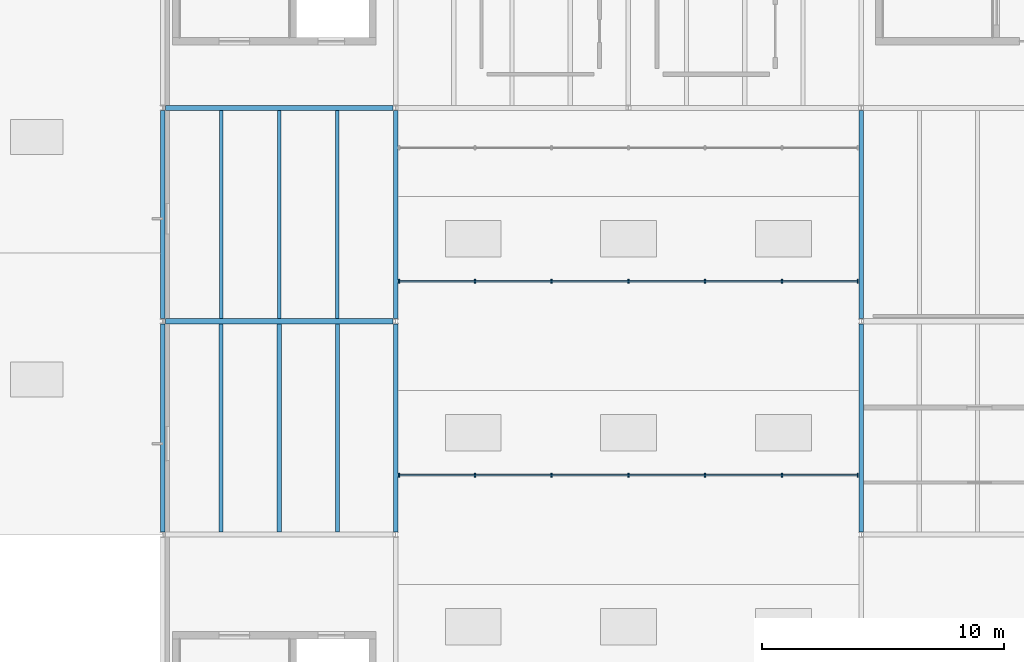
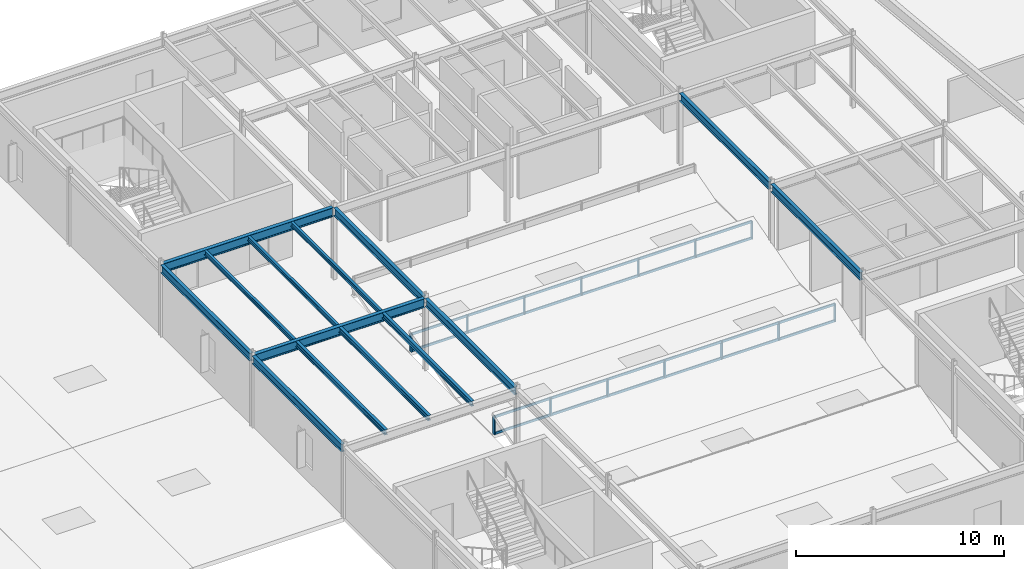
# One storey, part 11 of 50: 18 members, 14 beams, 2 elements without a shape of their own.
"""IFC4 building model written with IfcOpenShell, lengths in metres."""

from ifc_helpers import new_model, si_unit, direction, frame, origin, origin_2d, place, context, subcontext, project, spatial, rectangle, i_section, extrude, material, material_profile, profile_set, type_object, element, aggregate, save


model = new_model("IFC4")

# Units and contexts
model_context = context("Model", 3, precision=1e-05, world=origin(), true_north=direction((0.0, 1.0)))
body_context = subcontext(model_context, "Body", "Model", "MODEL_VIEW")
ifc_project = project(units=[si_unit("LENGTHUNIT", "METRE"), si_unit("AREAUNIT", "SQUARE_METRE"), si_unit("VOLUMEUNIT", "CUBIC_METRE"), si_unit("PLANEANGLEUNIT", "RADIAN"), si_unit("MASSUNIT", "GRAM", prefix="KILO")], contexts=[model_context])

# Site, building, storey
site_placement = place(None, origin())
site = spatial("IfcSite", under=ifc_project, at=site_placement, CompositionType="ELEMENT")
building_placement = place(site_placement, origin())
building = spatial("IfcBuilding", under=site, at=building_placement, Name="Sarnbrook Museum", CompositionType="ELEMENT")
storey_placement = place(building_placement, frame((0.0, 0.0, 28.10009765625)))
storey = spatial("IfcBuildingStorey", under=building, at=storey_placement, Name="L05", CompositionType="ELEMENT", Elevation=28.10009765625)

# Beams
ifc_material_1 = material(Name="Structural Steel Grade 300PLUS (AS/NZS 3679.1, fy = 280 MPa for 17 < t <= 40 mm, 300 MPa for t <= 17 mm)", Category="steel")
ifc_material_profile_1 = material_profile(ifc_material_1, i_section(OverallWidth=0.18994140625, OverallDepth=0.45703125, WebThickness=0.009033203125, FlangeThickness=0.014404296875, FilletRadius=0.011474609375, at=origin_2d()), Name="460UB74.6")
ifc_profile_set_1 = profile_set([ifc_material_profile_1], Name="Structural Steel Grade 300PLUS (AS/NZS 3679.1, fy = 280 MPa for 17 < t <= 40 mm, 300 MPa for t <= 17 mm)")
beam_type_1 = type_object("IfcBeamType", Name="BM-UB460", PredefinedType="BEAM", material=ifc_profile_set_1)
for number, where, z_axis, x_axis, name in (
    (1, (80.800048828125, 74.5048828125, 4.021484375), (0.0, 1.0, 0.0), (-1.0, 0.0, 0.0), "Girder 9:J-K L05"),
    (2, (80.800048828125, 83.304931640625, 4.021484375), (0.0, 1.0, 0.0), (-1.0, 0.0, 0.0), "Girder 9:K-L L05"),
    (3, (90.39990234375, 74.5048828125, 4.021484375), (0.0, 1.0, 0.0), (-1.0, 0.0, 0.0), "Girder 10:J-K L05"),
    (4, (90.39990234375, 83.304931640625, 4.021484375), (0.0, 1.0, 0.0), (-1.0, 0.0, 0.0), "Girder 10:K-L L05"),
    (5, (109.60009765625, 74.5048828125, 4.021484375), (0.0, 1.0, 0.0), (-1.0, 0.0, 0.0), "Girder 12:J-K L05"),
    (6, (109.60009765625, 83.304931640625, 4.021484375), (0.0, 1.0, 0.0), (-1.0, 0.0, 0.0), "Girder 12:K-L L05"),
):
    element("IfcBeam", number, at=place(storey_placement, frame(where, z_axis=z_axis, x_axis=x_axis)), inside=storey, type_object=beam_type_1, Name=name, PredefinedType="BEAM", context=body_context, shape_type="SweptSolid", body=[
        extrude(i_section(OverallWidth=0.18994140625, OverallDepth=0.45703125, WebThickness=0.009033203125, FlangeThickness=0.014404296875, FilletRadius=0.011474609375, at=origin_2d()), origin(), (0.0, 0.0, 1.0), 8.590087890625),
    ])
ifc_material_profile_2 = material_profile(ifc_material_1, i_section(OverallWidth=0.208984375, OverallDepth=0.532958984375, WebThickness=0.01025390625, FlangeThickness=0.015625, FilletRadius=0.013916015625, at=origin_2d()), Name="530UB92.4")
ifc_profile_set_2 = profile_set([ifc_material_profile_2], Name="Structural Steel Grade 300PLUS (AS/NZS 3679.1, fy = 280 MPa for 17 < t <= 40 mm, 300 MPa for t <= 17 mm)")
beam_type_2 = type_object("IfcBeamType", Name="BM-UB530", PredefinedType="BEAM", material=ifc_profile_set_2)
for number, where, z_axis, x_axis, name in (
    (7, (80.902587890625, 83.199951171875, 3.9833984375), (1.0, 0.0, 0.0), (0.0, 1.0, 0.0), "Girder K:9-10 L05"),
    (8, (80.902587890625, 92.0, 3.9833984375), (1.0, 0.0, 0.0), (0.0, 1.0, 0.0), "Girder L:9-10 L05"),
):
    element("IfcBeam", number, at=place(storey_placement, frame(where, z_axis=z_axis, x_axis=x_axis)), inside=storey, type_object=beam_type_2, Name=name, PredefinedType="BEAM", context=body_context, shape_type="SweptSolid", body=[
        extrude(i_section(OverallWidth=0.208984375, OverallDepth=0.532958984375, WebThickness=0.01025390625, FlangeThickness=0.015625, FilletRadius=0.013916015625, at=origin_2d()), origin(), (0.0, 0.0, 1.0), 9.39501953125),
    ])

# Curtain wall, members
ifc_material_2 = material(Name="Thermally Broken Anodised Aluminium 6063-T6", Category="aluminium")
curtain_wall_type = type_object("IfcCurtainWallType", Name="CurtainWall_Sawtooth", PredefinedType="NOTDEFINED", material=ifc_material_2)
curtain_wall_1_placement = place(storey_placement, origin())
curtain_wall_1 = element("IfcCurtainWall", 9, at=curtain_wall_1_placement, inside=storey, type_object=curtain_wall_type, Name="Atrium Sawtooth North-Light Clerestory 2", PredefinedType="NOTDEFINED")
ifc_material_profile_3 = material_profile(ifc_material_2, rectangle(XDim=0.06005859375, YDim=0.159912109375, at=origin_2d()), Name="ALU MULLION 60x160")
ifc_profile_set_3 = profile_set([ifc_material_profile_3], Name="Thermally Broken Anodised Aluminium 6063-T6")
member_type_1 = type_object("IfcMemberType", Name="CW_Mullion_150x65", PredefinedType="MULLION", material=ifc_profile_set_3)
member_1_placement = place(storey_placement, frame((90.5400390625, 76.85009765625, 0.0), z_axis=(0.0, 0.0, 1.0), x_axis=(1.0, 0.0, 0.0)))
member_1 = element("IfcMember", 10, at=member_1_placement, type_object=member_type_1, Name="Atrium Sawtooth North-Light Clerestory 2 Mullion 1", PredefinedType="MULLION", context=body_context, shape_type="SweptSolid", body=[
    extrude(rectangle(XDim=0.06005859375, YDim=0.159912109375, at=origin_2d()), origin(), (0.0, 0.0, 1.0), 1.0498046875),
])
member_2_placement = place(storey_placement, frame((93.666748046875, 76.85009765625, 0.0), z_axis=(0.0, 0.0, 1.0), x_axis=(1.0, 0.0, 0.0)))
member_2 = element("IfcMember", 11, at=member_2_placement, type_object=member_type_1, Name="Atrium Sawtooth North-Light Clerestory 2 Mullion 2", PredefinedType="MULLION", context=body_context, shape_type="SweptSolid", body=[
    extrude(rectangle(XDim=0.06005859375, YDim=0.159912109375, at=origin_2d()), origin(), (0.0, 0.0, 1.0), 1.0498046875),
])
member_3_placement = place(storey_placement, frame((96.833251953125, 76.85009765625, 0.0), z_axis=(0.0, 0.0, 1.0), x_axis=(1.0, 0.0, 0.0)))
member_3 = element("IfcMember", 12, at=member_3_placement, type_object=member_type_1, Name="Atrium Sawtooth North-Light Clerestory 2 Mullion 3", PredefinedType="MULLION", context=body_context, shape_type="SweptSolid", body=[
    extrude(rectangle(XDim=0.06005859375, YDim=0.159912109375, at=origin_2d()), origin(), (0.0, 0.0, 1.0), 1.0498046875),
])
member_4_placement = place(storey_placement, frame((100.0, 76.85009765625, 0.0), z_axis=(0.0, 0.0, 1.0), x_axis=(1.0, 0.0, 0.0)))
member_4 = element("IfcMember", 13, at=member_4_placement, type_object=member_type_1, Name="Atrium Sawtooth North-Light Clerestory 2 Mullion 4", PredefinedType="MULLION", context=body_context, shape_type="SweptSolid", body=[
    extrude(rectangle(XDim=0.06005859375, YDim=0.159912109375, at=origin_2d()), origin(), (0.0, 0.0, 1.0), 1.0498046875),
])
member_5_placement = place(storey_placement, frame((103.166748046875, 76.85009765625, 0.0), z_axis=(0.0, 0.0, 1.0), x_axis=(1.0, 0.0, 0.0)))
member_5 = element("IfcMember", 14, at=member_5_placement, type_object=member_type_1, Name="Atrium Sawtooth North-Light Clerestory 2 Mullion 5", PredefinedType="MULLION", context=body_context, shape_type="SweptSolid", body=[
    extrude(rectangle(XDim=0.06005859375, YDim=0.159912109375, at=origin_2d()), origin(), (0.0, 0.0, 1.0), 1.0498046875),
])
member_6_placement = place(storey_placement, frame((106.333251953125, 76.85009765625, 0.0), z_axis=(0.0, 0.0, 1.0), x_axis=(1.0, 0.0, 0.0)))
member_6 = element("IfcMember", 15, at=member_6_placement, type_object=member_type_1, Name="Atrium Sawtooth North-Light Clerestory 2 Mullion 6", PredefinedType="MULLION", context=body_context, shape_type="SweptSolid", body=[
    extrude(rectangle(XDim=0.06005859375, YDim=0.159912109375, at=origin_2d()), origin(), (0.0, 0.0, 1.0), 1.0498046875),
])
member_7_placement = place(storey_placement, frame((109.4599609375, 76.85009765625, 0.0), z_axis=(0.0, 0.0, 1.0), x_axis=(1.0, 0.0, 0.0)))
member_7 = element("IfcMember", 16, at=member_7_placement, type_object=member_type_1, Name="Atrium Sawtooth North-Light Clerestory 2 Mullion 7", PredefinedType="MULLION", context=body_context, shape_type="SweptSolid", body=[
    extrude(rectangle(XDim=0.06005859375, YDim=0.159912109375, at=origin_2d()), origin(), (0.0, 0.0, 1.0), 1.0498046875),
])

curtain_wall_2_placement = place(storey_placement, origin())
curtain_wall_2 = element("IfcCurtainWall", 17, at=curtain_wall_2_placement, inside=storey, type_object=curtain_wall_type, Name="Atrium Sawtooth North-Light Clerestory 3", PredefinedType="NOTDEFINED")
member_8_placement = place(storey_placement, frame((90.5400390625, 84.85009765625, 0.0), z_axis=(0.0, 0.0, 1.0), x_axis=(1.0, 0.0, 0.0)))
member_8 = element("IfcMember", 18, at=member_8_placement, type_object=member_type_1, Name="Atrium Sawtooth North-Light Clerestory 3 Mullion 1", PredefinedType="MULLION", context=body_context, shape_type="SweptSolid", body=[
    extrude(rectangle(XDim=0.06005859375, YDim=0.159912109375, at=origin_2d()), origin(), (0.0, 0.0, 1.0), 1.0498046875),
])
member_9_placement = place(storey_placement, frame((93.666748046875, 84.85009765625, 0.0), z_axis=(0.0, 0.0, 1.0), x_axis=(1.0, 0.0, 0.0)))
member_9 = element("IfcMember", 19, at=member_9_placement, type_object=member_type_1, Name="Atrium Sawtooth North-Light Clerestory 3 Mullion 2", PredefinedType="MULLION", context=body_context, shape_type="SweptSolid", body=[
    extrude(rectangle(XDim=0.06005859375, YDim=0.159912109375, at=origin_2d()), origin(), (0.0, 0.0, 1.0), 1.0498046875),
])
member_10_placement = place(storey_placement, frame((96.833251953125, 84.85009765625, 0.0), z_axis=(0.0, 0.0, 1.0), x_axis=(1.0, 0.0, 0.0)))
member_10 = element("IfcMember", 20, at=member_10_placement, type_object=member_type_1, Name="Atrium Sawtooth North-Light Clerestory 3 Mullion 3", PredefinedType="MULLION", context=body_context, shape_type="SweptSolid", body=[
    extrude(rectangle(XDim=0.06005859375, YDim=0.159912109375, at=origin_2d()), origin(), (0.0, 0.0, 1.0), 1.0498046875),
])
member_11_placement = place(storey_placement, frame((100.0, 84.85009765625, 0.0), z_axis=(0.0, 0.0, 1.0), x_axis=(1.0, 0.0, 0.0)))
member_11 = element("IfcMember", 21, at=member_11_placement, type_object=member_type_1, Name="Atrium Sawtooth North-Light Clerestory 3 Mullion 4", PredefinedType="MULLION", context=body_context, shape_type="SweptSolid", body=[
    extrude(rectangle(XDim=0.06005859375, YDim=0.159912109375, at=origin_2d()), origin(), (0.0, 0.0, 1.0), 1.0498046875),
])
member_12_placement = place(storey_placement, frame((103.166748046875, 84.85009765625, 0.0), z_axis=(0.0, 0.0, 1.0), x_axis=(1.0, 0.0, 0.0)))
member_12 = element("IfcMember", 22, at=member_12_placement, type_object=member_type_1, Name="Atrium Sawtooth North-Light Clerestory 3 Mullion 5", PredefinedType="MULLION", context=body_context, shape_type="SweptSolid", body=[
    extrude(rectangle(XDim=0.06005859375, YDim=0.159912109375, at=origin_2d()), origin(), (0.0, 0.0, 1.0), 1.0498046875),
])
member_13_placement = place(storey_placement, frame((106.333251953125, 84.85009765625, 0.0), z_axis=(0.0, 0.0, 1.0), x_axis=(1.0, 0.0, 0.0)))
member_13 = element("IfcMember", 23, at=member_13_placement, type_object=member_type_1, Name="Atrium Sawtooth North-Light Clerestory 3 Mullion 6", PredefinedType="MULLION", context=body_context, shape_type="SweptSolid", body=[
    extrude(rectangle(XDim=0.06005859375, YDim=0.159912109375, at=origin_2d()), origin(), (0.0, 0.0, 1.0), 1.0498046875),
])
member_14_placement = place(storey_placement, frame((109.4599609375, 84.85009765625, 0.0), z_axis=(0.0, 0.0, 1.0), x_axis=(1.0, 0.0, 0.0)))
member_14 = element("IfcMember", 24, at=member_14_placement, type_object=member_type_1, Name="Atrium Sawtooth North-Light Clerestory 3 Mullion 7", PredefinedType="MULLION", context=body_context, shape_type="SweptSolid", body=[
    extrude(rectangle(XDim=0.06005859375, YDim=0.159912109375, at=origin_2d()), origin(), (0.0, 0.0, 1.0), 1.0498046875),
])

# Member
ifc_material_profile_4 = material_profile(ifc_material_2, rectangle(XDim=0.06494140625, YDim=0.139892578125, at=origin_2d()), Name="ALU TRANSOM 65x140")
ifc_profile_set_4 = profile_set([ifc_material_profile_4], Name="Thermally Broken Anodised Aluminium 6063-T6")
member_type_2 = type_object("IfcMemberType", Name="CW_Transom_150x65", PredefinedType="USERDEFINED", material=ifc_profile_set_4)
member_15_placement = place(storey_placement, frame((90.550048828125, 76.85009765625, 0.039794921875), z_axis=(1.0, 0.0, 0.0), x_axis=(0.0, 1.0, 0.0)))
member_15 = element("IfcMember", 25, at=member_15_placement, type_object=member_type_2, Name="Atrium Sawtooth North-Light Clerestory 2 Transom 1", ObjectType="TRANSOM", PredefinedType="USERDEFINED", context=body_context, shape_type="SweptSolid", body=[
    extrude(rectangle(XDim=0.06494140625, YDim=0.139892578125, at=origin_2d()), origin(), (0.0, 0.0, 1.0), 18.89990234375),
])

member_16_placement = place(storey_placement, frame((90.550048828125, 76.85009765625, 1.010009765625), z_axis=(1.0, 0.0, 0.0), x_axis=(0.0, 1.0, 0.0)))
member_16 = element("IfcMember", 26, at=member_16_placement, type_object=member_type_2, Name="Atrium Sawtooth North-Light Clerestory 2 Transom 2", ObjectType="TRANSOM", PredefinedType="USERDEFINED", context=body_context, shape_type="SweptSolid", body=[
    extrude(rectangle(XDim=0.06494140625, YDim=0.139892578125, at=origin_2d()), origin(), (0.0, 0.0, 1.0), 18.89990234375),
])

aggregate(curtain_wall_1, [member_1, member_2, member_3, member_4, member_5, member_6, member_7, member_15, member_16])

member_17_placement = place(storey_placement, frame((90.550048828125, 84.85009765625, 0.039794921875), z_axis=(1.0, 0.0, 0.0), x_axis=(0.0, 1.0, 0.0)))
member_17 = element("IfcMember", 27, at=member_17_placement, type_object=member_type_2, Name="Atrium Sawtooth North-Light Clerestory 3 Transom 1", ObjectType="TRANSOM", PredefinedType="USERDEFINED", context=body_context, shape_type="SweptSolid", body=[
    extrude(rectangle(XDim=0.06494140625, YDim=0.139892578125, at=origin_2d()), origin(), (0.0, 0.0, 1.0), 18.89990234375),
])

member_18_placement = place(storey_placement, frame((90.550048828125, 84.85009765625, 1.010009765625), z_axis=(1.0, 0.0, 0.0), x_axis=(0.0, 1.0, 0.0)))
member_18 = element("IfcMember", 28, at=member_18_placement, type_object=member_type_2, Name="Atrium Sawtooth North-Light Clerestory 3 Transom 2", ObjectType="TRANSOM", PredefinedType="USERDEFINED", context=body_context, shape_type="SweptSolid", body=[
    extrude(rectangle(XDim=0.06494140625, YDim=0.139892578125, at=origin_2d()), origin(), (0.0, 0.0, 1.0), 18.89990234375),
])

aggregate(curtain_wall_2, [member_8, member_9, member_10, member_11, member_12, member_13, member_14, member_17, member_18])

# Beams
ifc_material_profile_5 = material_profile(ifc_material_1, i_section(OverallWidth=0.14599609375, OverallDepth=0.256103515625, WebThickness=0.00634765625, FlangeThickness=0.010986328125, FilletRadius=0.0087890625, at=origin_2d()), Name="250UB37.3")
ifc_profile_set_5 = profile_set([ifc_material_profile_5], Name="Structural Steel Grade 300PLUS (AS/NZS 3679.1, fy = 280 MPa for 17 < t <= 40 mm, 300 MPa for t <= 17 mm)")
beam_type_3 = type_object("IfcBeamType", Name="JS-UB250", PredefinedType="JOIST", material=ifc_profile_set_5)
for number, where, z_axis, x_axis, name in (
    (29, (83.199951171875, 83.304443359375, 4.121826171875), (0.0, 1.0, 0.0), (-1.0, 0.0, 0.0), "Composite Floor Joist 9K-1 L05"),
    (30, (85.60009765625, 83.304443359375, 4.121826171875), (0.0, 1.0, 0.0), (-1.0, 0.0, 0.0), "Composite Floor Joist 9K-2 L05"),
    (31, (88.0, 83.304443359375, 4.121826171875), (0.0, 1.0, 0.0), (-1.0, 0.0, 0.0), "Composite Floor Joist 9K-3 L05"),
):
    element("IfcBeam", number, at=place(storey_placement, frame(where, z_axis=z_axis, x_axis=x_axis)), inside=storey, type_object=beam_type_3, Name=name, PredefinedType="JOIST", context=body_context, shape_type="SweptSolid", body=[
        extrude(i_section(OverallWidth=0.14599609375, OverallDepth=0.256103515625, WebThickness=0.00634765625, FlangeThickness=0.010986328125, FilletRadius=0.0087890625, at=origin_2d()), origin(), (0.0, 0.0, 1.0), 8.591064453125),
    ])
ifc_material_profile_6 = material_profile(ifc_material_1, i_section(OverallWidth=0.1650390625, OverallDepth=0.303955078125, WebThickness=0.006103515625, FlangeThickness=0.01025390625, FilletRadius=0.011474609375, at=origin_2d()), Name="310UB40.4")
ifc_profile_set_6 = profile_set([ifc_material_profile_6], Name="Structural Steel Grade 300PLUS (AS/NZS 3679.1, fy = 280 MPa for 17 < t <= 40 mm, 300 MPa for t <= 17 mm)")
beam_type_4 = type_object("IfcBeamType", Name="JS-UB310", PredefinedType="JOIST", material=ifc_profile_set_6)
for number, where, z_axis, x_axis, name in (
    (32, (83.199951171875, 74.50439453125, 4.097900390625), (0.0, 1.0, 0.0), (-1.0, 0.0, 0.0), "Composite Floor Joist 9J-1 L05"),
    (33, (85.60009765625, 74.50439453125, 4.097900390625), (0.0, 1.0, 0.0), (-1.0, 0.0, 0.0), "Composite Floor Joist 9J-2 L05"),
    (34, (88.0, 74.50439453125, 4.097900390625), (0.0, 1.0, 0.0), (-1.0, 0.0, 0.0), "Composite Floor Joist 9J-3 L05"),
):
    element("IfcBeam", number, at=place(storey_placement, frame(where, z_axis=z_axis, x_axis=x_axis)), inside=storey, type_object=beam_type_4, Name=name, PredefinedType="JOIST", context=body_context, shape_type="SweptSolid", body=[
        extrude(i_section(OverallWidth=0.1650390625, OverallDepth=0.303955078125, WebThickness=0.006103515625, FlangeThickness=0.01025390625, FilletRadius=0.011474609375, at=origin_2d()), origin(), (0.0, 0.0, 1.0), 8.591064453125),
    ])

save(model, "model.ifc")
